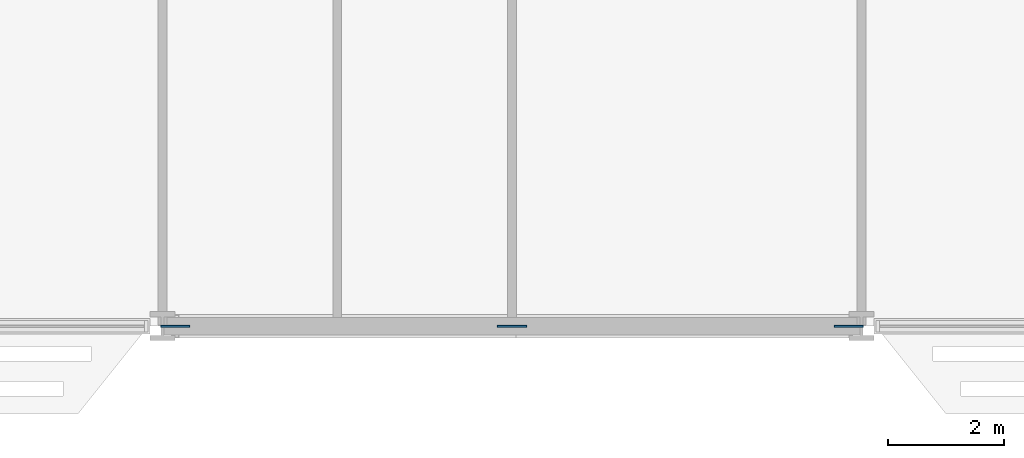
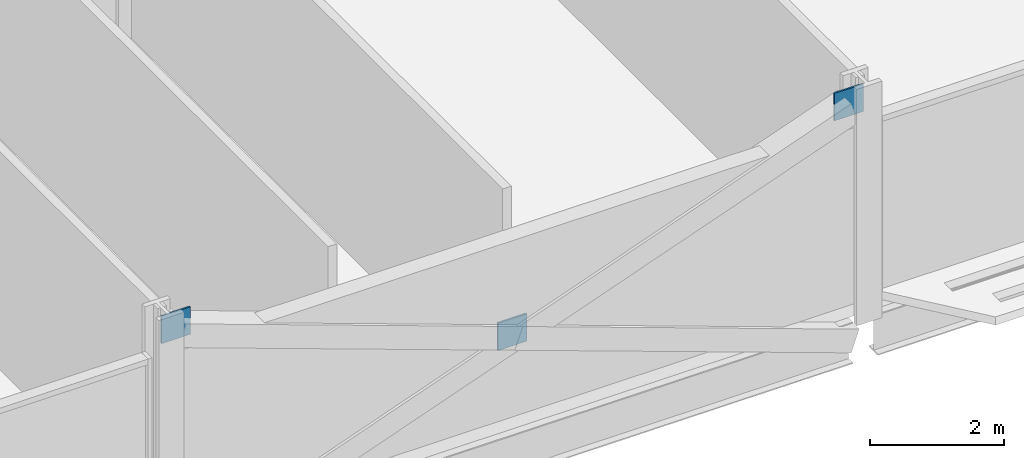
# One storey, part 17 of 27: 3 discrete accessories.
"""IFC4 building model written with IfcOpenShell, lengths in metres."""

from ifc_helpers import new_model, si_unit, direction, frame, origin, origin_2d, place, context, subcontext, project, spatial, rectangle, extrude, material, layer, layer_set, type_object, element, save


model = new_model("IFC4")

# Units and contexts
model_context = context("Model", 3, precision=1e-05, world=origin(), true_north=direction((0.0, 1.0)))
body_context = subcontext(model_context, "Body", "Model", "MODEL_VIEW")
ifc_project = project(units=[si_unit("LENGTHUNIT", "METRE"), si_unit("AREAUNIT", "SQUARE_METRE"), si_unit("VOLUMEUNIT", "CUBIC_METRE"), si_unit("PLANEANGLEUNIT", "RADIAN"), si_unit("MASSUNIT", "GRAM", prefix="KILO")], contexts=[model_context])

# Site, building, storey
site_placement = place(None, origin())
site = spatial("IfcSite", under=ifc_project, at=site_placement, CompositionType="ELEMENT")
building_placement = place(site_placement, origin())
building = spatial("IfcBuilding", under=site, at=building_placement, Name="Mahtab Terrace Research Tower", CompositionType="ELEMENT")
storey_placement = place(building_placement, frame((0.0, 0.0, 28.699951171875)))
storey = spatial("IfcBuildingStorey", under=building, at=storey_placement, Name="L06", CompositionType="ELEMENT", Elevation=28.699951171875)

# Discrete accessories
ifc_material = material(Name="Steel ASTM A992 Gr 50", Category="steel")
ifc_layer = layer(ifc_material, 0.030029296875)
ifc_layer_set = layer_set([ifc_layer], Name="Gusset plate 500x500x30")
discrete_accessory_type = type_object("IfcDiscreteAccessoryType", Name="Gusset plate 500x500x30", PredefinedType="USERDEFINED", material=ifc_layer_set)
for number, where, z_axis, x_axis, name in (
    (1, (-5.7841796875, -23.0, 3.33154296875), (0.0, 0.0, 1.0), (1.0, 0.0, 0.0), "Gusset plate"),
    (2, (0.0, -23.0, 1.181640625), (0.0, 0.0, 1.0), (1.0, 0.0, 0.0), "Gusset plate"),
    (3, (5.7841796875, -23.0, 3.33154296875), (0.0, 0.0, 1.0), (1.0, 0.0, 0.0), "Gusset plate"),
):
    element("IfcDiscreteAccessory", number, at=place(storey_placement, frame(where, z_axis=z_axis, x_axis=x_axis)), inside=storey, type_object=discrete_accessory_type, Name=name, ObjectType="GUSSET PLATE", PredefinedType="USERDEFINED", context=body_context, shape_type="SweptSolid", body=[
        extrude(rectangle(XDim=0.5, YDim=0.030029296875, at=origin_2d()), origin(), (0.0, 0.0, 1.0), 0.5),
    ])

save(model, "model.ifc")
